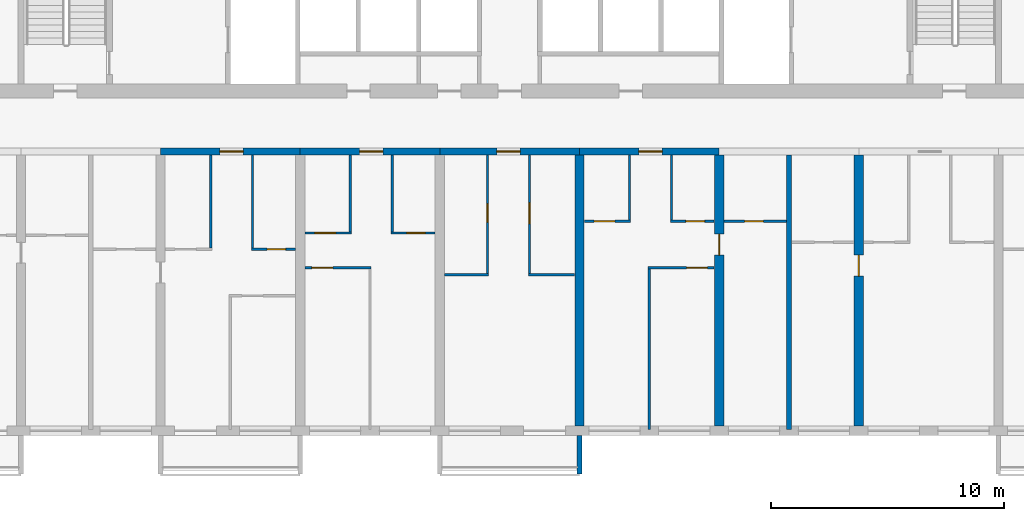
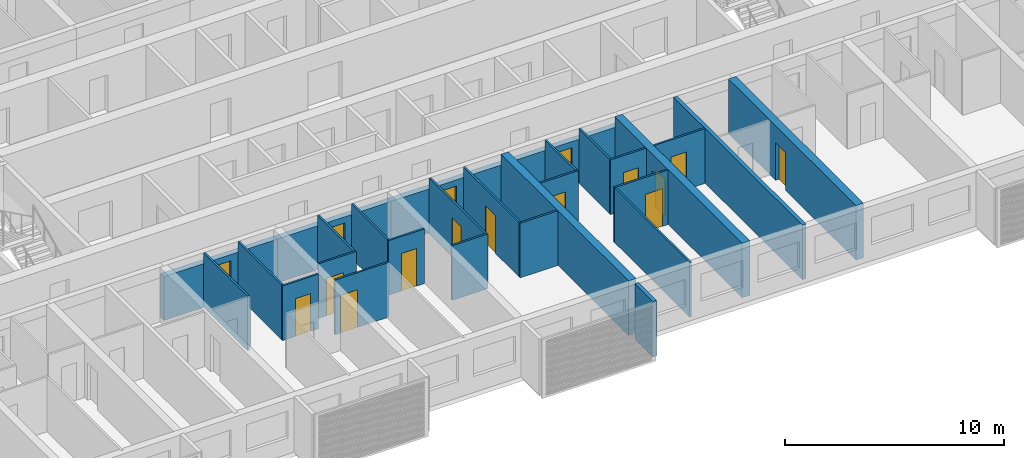
# One storey, part 5 of 39: 28 walls, 16 doors, 16 openings.
"""IFC4 building model written with IfcOpenShell, lengths in metres."""

from ifc_helpers import new_model, si_unit, direction, frame, frame_2d, origin, place, context, subcontext, project, spatial, polyline, rectangle, outline, extrude, source, transform, mapped, material, layer, layer_set, type_object, element, fill, save


model = new_model("IFC4")

# Units and contexts
model_context = context("Model", 3, precision=1e-05, world=origin(), true_north=direction((0.0, 1.0)))
body_context = subcontext(model_context, "Body", "Model", "MODEL_VIEW")
ifc_project = project(units=[si_unit("LENGTHUNIT", "METRE"), si_unit("AREAUNIT", "SQUARE_METRE"), si_unit("VOLUMEUNIT", "CUBIC_METRE"), si_unit("PLANEANGLEUNIT", "RADIAN"), si_unit("MASSUNIT", "GRAM", prefix="KILO")], contexts=[model_context])

# Site, building, storey
site_placement = place(None, origin())
site = spatial("IfcSite", under=ifc_project, at=site_placement, CompositionType="ELEMENT")
building_placement = place(site_placement, origin())
building = spatial("IfcBuilding", under=site, at=building_placement, Name="Poui Terraces", CompositionType="ELEMENT")
storey_placement = place(building_placement, frame((0.0, 0.0, 56.39990234375)))
storey = spatial("IfcBuildingStorey", under=building, at=storey_placement, Name="L15", CompositionType="ELEMENT", Elevation=56.39990234375)

# Wall, opening, door
ifc_material_1 = material(Name="Concrete 80 MPa", Category="concrete")
ifc_layer_1 = layer(ifc_material_1, 0.300048828125)
ifc_layer_set_1 = layer_set([ifc_layer_1], Name="Concrete 80 MPa")
wall_type_1 = type_object("IfcWallType", Name="CORRIDOR WALL 300 80MPa", PredefinedType="SHEAR", material=ifc_layer_set_1)
wall_1_placement = place(storey_placement, frame((36.0, 12.0, 0.0), z_axis=(0.0, 0.0, 1.0), x_axis=(1.0, 0.0, 0.0)))
wall_1 = element("IfcWall", 1, at=wall_1_placement, inside=storey, type_object=wall_type_1, Name="CORRIDOR WALL LINE B BAY 6", PredefinedType="SHEAR", context=body_context, shape_type="SweptSolid", body=[
    extrude(rectangle(XDim=6.0, YDim=0.300048828125, at=frame_2d((3.0, 0.0))), origin(), (0.0, 0.0, 1.0), 2.4501953125),
])
opening_1_placement = place(wall_1_placement, frame((2.550048828125, 0.0, 0.0)))
opening_1 = element("IfcOpeningElement", 2, at=opening_1_placement, cuts=wall_1, Name="Opening FD30S", PredefinedType="OPENING", context=body_context, shape_type="SweptSolid", body=[
    extrude(rectangle(XDim=1.0, YDim=2.10009765625, at=frame_2d((0.5, 1.050048828125))), frame((0.0, 0.16015625, 0.0), z_axis=(0.0, -1.0, 0.0), x_axis=(1.0, 0.0, 0.0)), (0.0, 0.0, 1.0), 0.320068359375),
])
ifc_material_2 = material(Name="Steel fire door", Category="steel")
door_type_1 = type_object("IfcDoorType", Name="FLAT ENTRANCE DOOR 1000 X 2100", OperationType="NOTDEFINED", PredefinedType="DOOR", material=ifc_material_2)
door_1_placement = place(opening_1_placement, frame((1.0, 0.0, 0.0), z_axis=(0.0, 0.0, 1.0), x_axis=(-1.0, 0.0, 0.0)))
door_1 = element("IfcDoor", 3, at=door_1_placement, inside=storey, type_object=door_type_1, Name="FLAT ENTRANCE DOOR 102", OperationType="SINGLE_SWING_LEFT", OverallHeight=2.10009765625, OverallWidth=1.0, PredefinedType="DOOR", context=body_context, shape_type="SweptSolid", body=[
    extrude(rectangle(XDim=1.0, YDim=2.10009765625, at=frame_2d((0.5, 1.050048828125))), frame((0.0, 0.02490234375, 0.0), z_axis=(0.0, -1.0, 0.0), x_axis=(1.0, 0.0, 0.0)), (0.0, 0.0, 1.0), 0.050048828125),
])
fill(opening_1, door_1)

wall_2_placement = place(storey_placement, frame((42.0, 12.0, 0.0), z_axis=(0.0, 0.0, 1.0), x_axis=(1.0, 0.0, 0.0)))
wall_2 = element("IfcWall", 4, at=wall_2_placement, inside=storey, type_object=wall_type_1, Name="CORRIDOR WALL LINE B BAY 7", PredefinedType="SHEAR", context=body_context, shape_type="SweptSolid", body=[
    extrude(rectangle(XDim=6.0, YDim=0.300048828125, at=frame_2d((3.0, 0.0))), origin(), (0.0, 0.0, 1.0), 2.4501953125),
])
opening_2_placement = place(wall_2_placement, frame((2.550048828125, 0.0, 0.0)))
opening_2 = element("IfcOpeningElement", 5, at=opening_2_placement, cuts=wall_2, Name="Opening FD30S", PredefinedType="OPENING", context=body_context, shape_type="SweptSolid", body=[
    extrude(rectangle(XDim=1.0, YDim=2.10009765625, at=frame_2d((0.5, 1.050048828125))), frame((0.0, 0.16015625, 0.0), z_axis=(0.0, -1.0, 0.0), x_axis=(1.0, 0.0, 0.0)), (0.0, 0.0, 1.0), 0.320068359375),
])
door_2_placement = place(opening_2_placement, frame((1.0, 0.0, 0.0), z_axis=(0.0, 0.0, 1.0), x_axis=(-1.0, 0.0, 0.0)))
door_2 = element("IfcDoor", 6, at=door_2_placement, inside=storey, type_object=door_type_1, Name="FLAT ENTRANCE DOOR 107", OperationType="SINGLE_SWING_LEFT", OverallHeight=2.10009765625, OverallWidth=1.0, PredefinedType="DOOR", context=body_context, shape_type="SweptSolid", body=[
    extrude(rectangle(XDim=1.0, YDim=2.10009765625, at=frame_2d((0.5, 1.050048828125))), frame((0.0, 0.02490234375, 0.0), z_axis=(0.0, -1.0, 0.0), x_axis=(1.0, 0.0, 0.0)), (0.0, 0.0, 1.0), 0.050048828125),
])
fill(opening_2, door_2)

wall_3_placement = place(storey_placement, frame((48.0, 12.0, 0.0), z_axis=(0.0, 0.0, 1.0), x_axis=(1.0, 0.0, 0.0)))
wall_3 = element("IfcWall", 7, at=wall_3_placement, inside=storey, type_object=wall_type_1, Name="CORRIDOR WALL LINE B BAY 8", PredefinedType="SHEAR", context=body_context, shape_type="SweptSolid", body=[
    extrude(rectangle(XDim=6.0, YDim=0.300048828125, at=frame_2d((3.0, 0.0))), origin(), (0.0, 0.0, 1.0), 2.4501953125),
])
opening_3_placement = place(wall_3_placement, frame((2.449951171875, 0.0, 0.0)))
opening_3 = element("IfcOpeningElement", 8, at=opening_3_placement, cuts=wall_3, Name="Opening FD30S", PredefinedType="OPENING", context=body_context, shape_type="SweptSolid", body=[
    extrude(rectangle(XDim=1.0, YDim=2.10009765625, at=frame_2d((0.5, 1.050048828125))), frame((0.0, 0.16015625, 0.0), z_axis=(0.0, -1.0, 0.0), x_axis=(1.0, 0.0, 0.0)), (0.0, 0.0, 1.0), 0.320068359375),
])
door_3_placement = place(opening_3_placement, frame((1.0, 0.0, 0.0), z_axis=(0.0, 0.0, 1.0), x_axis=(-1.0, 0.0, 0.0)))
door_3 = element("IfcDoor", 9, at=door_3_placement, inside=storey, type_object=door_type_1, Name="FLAT ENTRANCE DOOR 110", OperationType="SINGLE_SWING_RIGHT", OverallHeight=2.10009765625, OverallWidth=1.0, PredefinedType="DOOR", context=body_context, shape_type="SweptSolid", body=[
    extrude(rectangle(XDim=1.0, YDim=2.10009765625, at=frame_2d((0.5, 1.050048828125))), frame((0.0, 0.02490234375, 0.0), z_axis=(0.0, -1.0, 0.0), x_axis=(1.0, 0.0, 0.0)), (0.0, 0.0, 1.0), 0.050048828125),
])
fill(opening_3, door_3)

wall_4_placement = place(storey_placement, frame((54.0, 12.0, 0.0), z_axis=(0.0, 0.0, 1.0), x_axis=(1.0, 0.0, 0.0)))
wall_4 = element("IfcWall", 10, at=wall_4_placement, inside=storey, type_object=wall_type_1, Name="CORRIDOR WALL LINE B BAY 9", PredefinedType="SHEAR", context=body_context, shape_type="SweptSolid", body=[
    extrude(rectangle(XDim=6.0, YDim=0.300048828125, at=frame_2d((3.0, 0.0))), origin(), (0.0, 0.0, 1.0), 2.4501953125),
])
opening_4_placement = place(wall_4_placement, frame((2.550048828125, 0.0, 0.0)))
opening_4 = element("IfcOpeningElement", 11, at=opening_4_placement, cuts=wall_4, Name="Opening FD30S", PredefinedType="OPENING", context=body_context, shape_type="SweptSolid", body=[
    extrude(rectangle(XDim=1.0, YDim=2.10009765625, at=frame_2d((0.5, 1.050048828125))), frame((0.0, 0.16015625, 0.0), z_axis=(0.0, -1.0, 0.0), x_axis=(1.0, 0.0, 0.0)), (0.0, 0.0, 1.0), 0.320068359375),
])
door_4_placement = place(opening_4_placement, frame((1.0, 0.0, 0.0), z_axis=(0.0, 0.0, 1.0), x_axis=(-1.0, 0.0, 0.0)))
door_4 = element("IfcDoor", 12, at=door_4_placement, inside=storey, type_object=door_type_1, Name="FLAT ENTRANCE DOOR 114", OperationType="SINGLE_SWING_LEFT", OverallHeight=2.10009765625, OverallWidth=1.0, PredefinedType="DOOR", context=body_context, shape_type="SweptSolid", body=[
    extrude(rectangle(XDim=1.0, YDim=2.10009765625, at=frame_2d((0.5, 1.050048828125))), frame((0.0, 0.02490234375, 0.0), z_axis=(0.0, -1.0, 0.0), x_axis=(1.0, 0.0, 0.0)), (0.0, 0.0, 1.0), 0.050048828125),
])
fill(opening_4, door_4)

# Wall
ifc_layer_2 = layer(ifc_material_1, 0.39990234375)
ifc_layer_set_2 = layer_set([ifc_layer_2], Name="Concrete 80 MPa")
wall_type_2 = type_object("IfcWallType", Name="CROSS WALL 400 80MPa", PredefinedType="SHEAR", material=ifc_layer_set_2)
wall_5_placement = place(storey_placement, frame((54.0, 0.199951171875, 0.0), z_axis=(0.0, 0.0, 1.0), x_axis=(0.0, 1.0, 0.0)))
element("IfcWall", 13, at=wall_5_placement, inside=storey, type_object=wall_type_2, Name="CROSS WALL LINE 10 SOUTH", PredefinedType="SHEAR", context=body_context, shape_type="SweptSolid", body=[
    extrude(rectangle(XDim=11.650146484375, YDim=0.39990234375, at=frame_2d((5.8251953125, 0.0))), origin(), (0.0, 0.0, 1.0), 3.050048828125),
])

# Wall, opening, door
wall_6_placement = place(storey_placement, frame((60.0, 0.199951171875, 0.0), z_axis=(0.0, 0.0, 1.0), x_axis=(0.0, 1.0, 0.0)))
wall_6 = element("IfcWall", 14, at=wall_6_placement, inside=storey, type_object=wall_type_2, Name="CROSS WALL LINE 11 SOUTH", PredefinedType="SHEAR", context=body_context, shape_type="SweptSolid", body=[
    extrude(rectangle(XDim=11.650146484375, YDim=0.39990234375, at=frame_2d((5.8251953125, 0.0))), origin(), (0.0, 0.0, 1.0), 3.050048828125),
])
opening_5_placement = place(wall_6_placement, frame((7.35009765625, 0.0, 0.0)))
opening_5 = element("IfcOpeningElement", 15, at=opening_5_placement, cuts=wall_6, Name="Opening D90", PredefinedType="OPENING", context=body_context, shape_type="SweptSolid", body=[
    extrude(rectangle(XDim=0.89990234375, YDim=2.10009765625, at=frame_2d((0.449951171875, 1.050048828125))), frame((0.0, 0.2099609375, 0.0), z_axis=(0.0, -1.0, 0.0), x_axis=(1.0, 0.0, 0.0)), (0.0, 0.0, 1.0), 0.419921875),
])
ifc_material_3 = material(Name="Solid core timber door", Category="wood")
door_type_2 = type_object("IfcDoorType", Name="INTERNAL DOOR 900 X 2100", OperationType="NOTDEFINED", PredefinedType="DOOR", material=ifc_material_3)
door_5_placement = place(opening_5_placement, frame((0.89990234375, 0.0, 0.0), z_axis=(0.0, 0.0, 1.0), x_axis=(-1.0, 0.0, 0.0)))
door_5 = element("IfcDoor", 16, at=door_5_placement, inside=storey, type_object=door_type_2, Name="INTERNAL DOOR 117", OperationType="SINGLE_SWING_LEFT", OverallHeight=2.10009765625, OverallWidth=0.89990234375, PredefinedType="DOOR", context=body_context, shape_type="SweptSolid", body=[
    extrude(rectangle(XDim=0.89990234375, YDim=2.10009765625, at=frame_2d((0.449951171875, 1.050048828125))), frame((0.0, 0.02490234375, 0.0), z_axis=(0.0, -1.0, 0.0), x_axis=(1.0, 0.0, 0.0)), (0.0, 0.0, 1.0), 0.050048828125),
])
fill(opening_5, door_5)

wall_7_placement = place(storey_placement, frame((66.0, 0.199951171875, 0.0), z_axis=(0.0, 0.0, 1.0), x_axis=(0.0, 1.0, 0.0)))
wall_7 = element("IfcWall", 17, at=wall_7_placement, inside=storey, type_object=wall_type_2, Name="CROSS WALL LINE 12 SOUTH", PredefinedType="SHEAR", context=body_context, shape_type="SweptSolid", body=[
    extrude(rectangle(XDim=11.650146484375, YDim=0.39990234375, at=frame_2d((5.8251953125, 0.0))), origin(), (0.0, 0.0, 1.0), 3.050048828125),
])
opening_6_placement = place(wall_7_placement, frame((6.449951171875, 0.0, 0.0)))
opening_6 = element("IfcOpeningElement", 18, at=opening_6_placement, cuts=wall_7, Name="Opening D90", PredefinedType="OPENING", context=body_context, shape_type="SweptSolid", body=[
    extrude(rectangle(XDim=0.89990234375, YDim=2.10009765625, at=frame_2d((0.449951171875, 1.050048828125))), frame((0.0, 0.2099609375, 0.0), z_axis=(0.0, -1.0, 0.0), x_axis=(1.0, 0.0, 0.0)), (0.0, 0.0, 1.0), 0.419921875),
])
door_6_placement = place(opening_6_placement, origin())
door_6 = element("IfcDoor", 19, at=door_6_placement, inside=storey, type_object=door_type_2, Name="INTERNAL DOOR 119", OperationType="SINGLE_SWING_RIGHT", OverallHeight=2.10009765625, OverallWidth=0.89990234375, PredefinedType="DOOR", context=body_context, shape_type="SweptSolid", body=[
    extrude(rectangle(XDim=0.89990234375, YDim=2.10009765625, at=frame_2d((0.449951171875, 1.050048828125))), frame((0.0, 0.02490234375, 0.0), z_axis=(0.0, -1.0, 0.0), x_axis=(1.0, 0.0, 0.0)), (0.0, 0.0, 1.0), 0.050048828125),
])
fill(opening_6, door_6)

# Walls
ifc_material_4 = material(Name="Plasterboard partition")
ifc_layer_3 = layer(ifc_material_4, 0.10009765625)
ifc_layer_set_3 = layer_set([ifc_layer_3], Name="Plasterboard partition")
wall_type_3 = type_object("IfcWallType", Name="FLAT PARTITION 100", PredefinedType="PARTITIONING", material=ifc_layer_set_3)
wall_8_placement = place(storey_placement, frame((48.2099609375, 6.699951171875, 0.0), z_axis=(0.0, 0.0, 1.0), x_axis=(1.0, 0.0, 0.0)))
element("IfcWall", 20, at=wall_8_placement, inside=storey, type_object=wall_type_3, Name="FLAT PARTITION 100", PredefinedType="PARTITIONING", context=body_context, shape_type="SweptSolid", body=[
    extrude(rectangle(XDim=1.89013671875, YDim=0.10009765625, at=frame_2d((0.945068359375, 0.0))), origin(), (0.0, 0.0, 1.0), 3.050048828125),
])
wall_9_placement = place(storey_placement, frame((51.800048828125, 6.699951171875, 0.0), z_axis=(0.0, 0.0, 1.0), x_axis=(1.0, 0.0, 0.0)))
element("IfcWall", 21, at=wall_9_placement, inside=storey, type_object=wall_type_3, Name="FLAT PARTITION 100", PredefinedType="PARTITIONING", context=body_context, shape_type="SweptSolid", body=[
    extrude(rectangle(XDim=1.989990234375, YDim=0.10009765625, at=frame_2d((0.9951171875, 0.0))), origin(), (0.0, 0.0, 1.0), 3.050048828125),
])

# Wall, opening, door
wall_10_placement = place(storey_placement, frame((42.2099609375, 7.0, 0.0), z_axis=(0.0, 0.0, 1.0), x_axis=(1.0, 0.0, 0.0)))
wall_10 = element("IfcWall", 22, at=wall_10_placement, inside=storey, type_object=wall_type_3, Name="FLAT PARTITION 100", PredefinedType="PARTITIONING", context=body_context, shape_type="SweptSolid", body=[
    extrude(rectangle(XDim=2.840087890625, YDim=0.10009765625, at=frame_2d((1.419921875, 0.0))), origin(), (0.0, 0.0, 1.0), 3.050048828125),
])
opening_7_placement = place(wall_10_placement, frame((0.2900390625, 0.0, 0.0)))
opening_7 = element("IfcOpeningElement", 23, at=opening_7_placement, cuts=wall_10, Name="Opening D90", PredefinedType="OPENING", context=body_context, shape_type="SweptSolid", body=[
    extrude(rectangle(XDim=0.89990234375, YDim=2.10009765625, at=frame_2d((0.449951171875, 1.050048828125))), frame((0.0, 0.06005859375, 0.0), z_axis=(0.0, -1.0, 0.0), x_axis=(1.0, 0.0, 0.0)), (0.0, 0.0, 1.0), 0.1201171875),
])
door_7_placement = place(opening_7_placement, origin())
door_7 = element("IfcDoor", 24, at=door_7_placement, inside=storey, type_object=door_type_2, Name="INTERNAL DOOR 105", OperationType="SINGLE_SWING_RIGHT", OverallHeight=2.10009765625, OverallWidth=0.89990234375, PredefinedType="DOOR", context=body_context, shape_type="SweptSolid", body=[
    extrude(rectangle(XDim=0.89990234375, YDim=2.10009765625, at=frame_2d((0.449951171875, 1.050048828125))), frame((0.0, 0.02490234375, 0.0), z_axis=(0.0, -1.0, 0.0), x_axis=(1.0, 0.0, 0.0)), (0.0, 0.0, 1.0), 0.050048828125),
])
fill(opening_7, door_7)

wall_11_placement = place(storey_placement, frame((56.949951171875, 7.0, 0.0), z_axis=(0.0, 0.0, 1.0), x_axis=(1.0, 0.0, 0.0)))
wall_11 = element("IfcWall", 25, at=wall_11_placement, inside=storey, type_object=wall_type_3, Name="FLAT PARTITION 100", PredefinedType="PARTITIONING", context=body_context, shape_type="SweptSolid", body=[
    extrude(rectangle(XDim=2.840087890625, YDim=0.10009765625, at=frame_2d((1.419921875, 0.0))), origin(), (0.0, 0.0, 1.0), 3.050048828125),
])
opening_8_placement = place(wall_11_placement, frame((1.64990234375, 0.0, 0.0)))
opening_8 = element("IfcOpeningElement", 26, at=opening_8_placement, cuts=wall_11, Name="Opening D90", PredefinedType="OPENING", context=body_context, shape_type="SweptSolid", body=[
    extrude(rectangle(XDim=0.89990234375, YDim=2.10009765625, at=frame_2d((0.449951171875, 1.050048828125))), frame((0.0, 0.06005859375, 0.0), z_axis=(0.0, -1.0, 0.0), x_axis=(1.0, 0.0, 0.0)), (0.0, 0.0, 1.0), 0.1201171875),
])
door_8_placement = place(opening_8_placement, origin())
door_8 = element("IfcDoor", 27, at=door_8_placement, inside=storey, type_object=door_type_2, Name="INTERNAL DOOR 116", OperationType="SINGLE_SWING_LEFT", OverallHeight=2.10009765625, OverallWidth=0.89990234375, PredefinedType="DOOR", context=body_context, shape_type="SweptSolid", body=[
    extrude(rectangle(XDim=0.89990234375, YDim=2.10009765625, at=frame_2d((0.449951171875, 1.050048828125))), frame((0.0, 0.02490234375, 0.0), z_axis=(0.0, -1.0, 0.0), x_axis=(1.0, 0.0, 0.0)), (0.0, 0.0, 1.0), 0.050048828125),
])
fill(opening_8, door_8)

wall_12_placement = place(storey_placement, frame((39.89990234375, 7.800048828125, 0.0), z_axis=(0.0, 0.0, 1.0), x_axis=(1.0, 0.0, 0.0)))
wall_12 = element("IfcWall", 28, at=wall_12_placement, inside=storey, type_object=wall_type_3, Name="FLAT PARTITION 100", PredefinedType="PARTITIONING", context=body_context, shape_type="SweptSolid", body=[
    extrude(rectangle(XDim=1.89013671875, YDim=0.10009765625, at=frame_2d((0.945068359375, 0.0))), origin(), (0.0, 0.0, 1.0), 3.050048828125),
])
opening_9_placement = place(wall_12_placement, frame((0.675048828125, 0.0, 0.0)))
opening_9 = element("IfcOpeningElement", 29, at=opening_9_placement, cuts=wall_12, Name="Opening D80", PredefinedType="OPENING", context=body_context, shape_type="SweptSolid", body=[
    extrude(rectangle(XDim=0.800048828125, YDim=2.10009765625, at=frame_2d((0.39990234375, 1.050048828125))), frame((0.0, 0.06005859375, 0.0), z_axis=(0.0, -1.0, 0.0), x_axis=(1.0, 0.0, 0.0)), (0.0, 0.0, 1.0), 0.1201171875),
])
door_type_3 = type_object("IfcDoorType", Name="BATHROOM, LAUNDRY AND STORE DOOR 800 X 2100", OperationType="NOTDEFINED", PredefinedType="DOOR", material=ifc_material_3)
door_9_placement = place(opening_9_placement, origin())
door_9 = element("IfcDoor", 30, at=door_9_placement, inside=storey, type_object=door_type_3, Name="BATHROOM, LAUNDRY AND STORE DOOR 104", OperationType="SINGLE_SWING_LEFT", OverallHeight=2.10009765625, OverallWidth=0.800048828125, PredefinedType="DOOR", context=body_context, shape_type="SweptSolid", body=[
    extrude(rectangle(XDim=0.800048828125, YDim=2.10009765625, at=frame_2d((0.39990234375, 1.050048828125))), frame((0.0, 0.02490234375, 0.0), z_axis=(0.0, -1.0, 0.0), x_axis=(1.0, 0.0, 0.0)), (0.0, 0.0, 1.0), 0.050048828125),
])
fill(opening_9, door_9)

wall_13_placement = place(storey_placement, frame((42.2099609375, 8.5, 0.0), z_axis=(0.0, 0.0, 1.0), x_axis=(1.0, 0.0, 0.0)))
wall_13 = element("IfcWall", 31, at=wall_13_placement, inside=storey, type_object=wall_type_3, Name="FLAT PARTITION 100", PredefinedType="PARTITIONING", context=body_context, shape_type="SweptSolid", body=[
    extrude(rectangle(XDim=1.989990234375, YDim=0.10009765625, at=frame_2d((0.9951171875, 0.0))), origin(), (0.0, 0.0, 1.0), 3.050048828125),
])
opening_10_placement = place(wall_13_placement, frame((0.4150390625, 0.0, 0.0)))
opening_10 = element("IfcOpeningElement", 32, at=opening_10_placement, cuts=wall_13, Name="Opening D90", PredefinedType="OPENING", context=body_context, shape_type="SweptSolid", body=[
    extrude(rectangle(XDim=0.89990234375, YDim=2.10009765625, at=frame_2d((0.449951171875, 1.050048828125))), frame((0.0, 0.06005859375, 0.0), z_axis=(0.0, -1.0, 0.0), x_axis=(1.0, 0.0, 0.0)), (0.0, 0.0, 1.0), 0.1201171875),
])
door_10_placement = place(opening_10_placement, origin())
door_10 = element("IfcDoor", 33, at=door_10_placement, inside=storey, type_object=door_type_2, Name="INTERNAL DOOR 106", OperationType="SINGLE_SWING_LEFT", OverallHeight=2.10009765625, OverallWidth=0.89990234375, PredefinedType="DOOR", context=body_context, shape_type="SweptSolid", body=[
    extrude(rectangle(XDim=0.89990234375, YDim=2.10009765625, at=frame_2d((0.449951171875, 1.050048828125))), frame((0.0, 0.02490234375, 0.0), z_axis=(0.0, -1.0, 0.0), x_axis=(1.0, 0.0, 0.0)), (0.0, 0.0, 1.0), 0.050048828125),
])
fill(opening_10, door_10)

wall_14_placement = place(storey_placement, frame((45.89990234375, 8.5, 0.0), z_axis=(0.0, 0.0, 1.0), x_axis=(1.0, 0.0, 0.0)))
wall_14 = element("IfcWall", 34, at=wall_14_placement, inside=storey, type_object=wall_type_3, Name="FLAT PARTITION 100", PredefinedType="PARTITIONING", context=body_context, shape_type="SweptSolid", body=[
    extrude(rectangle(XDim=1.89013671875, YDim=0.10009765625, at=frame_2d((0.945068359375, 0.0))), origin(), (0.0, 0.0, 1.0), 3.050048828125),
])
opening_11_placement = place(wall_14_placement, frame((0.675048828125, 0.0, 0.0)))
opening_11 = element("IfcOpeningElement", 35, at=opening_11_placement, cuts=wall_14, Name="Opening D80", PredefinedType="OPENING", context=body_context, shape_type="SweptSolid", body=[
    extrude(rectangle(XDim=0.800048828125, YDim=2.10009765625, at=frame_2d((0.39990234375, 1.050048828125))), frame((0.0, 0.06005859375, 0.0), z_axis=(0.0, -1.0, 0.0), x_axis=(1.0, 0.0, 0.0)), (0.0, 0.0, 1.0), 0.1201171875),
])
door_11_placement = place(opening_11_placement, origin())
door_11 = element("IfcDoor", 36, at=door_11_placement, inside=storey, type_object=door_type_3, Name="BATHROOM, LAUNDRY AND STORE DOOR 108", OperationType="SINGLE_SWING_RIGHT", OverallHeight=2.10009765625, OverallWidth=0.800048828125, PredefinedType="DOOR", context=body_context, shape_type="SweptSolid", body=[
    extrude(rectangle(XDim=0.800048828125, YDim=2.10009765625, at=frame_2d((0.39990234375, 1.050048828125))), frame((0.0, 0.02490234375, 0.0), z_axis=(0.0, -1.0, 0.0), x_axis=(1.0, 0.0, 0.0)), (0.0, 0.0, 1.0), 0.050048828125),
])
fill(opening_11, door_11)

wall_15_placement = place(storey_placement, frame((54.2099609375, 9.0, 0.0), z_axis=(0.0, 0.0, 1.0), x_axis=(1.0, 0.0, 0.0)))
wall_15 = element("IfcWall", 37, at=wall_15_placement, inside=storey, type_object=wall_type_3, Name="FLAT PARTITION 100", PredefinedType="PARTITIONING", context=body_context, shape_type="SweptSolid", body=[
    extrude(rectangle(XDim=1.989990234375, YDim=0.10009765625, at=frame_2d((0.9951171875, 0.0))), origin(), (0.0, 0.0, 1.0), 3.050048828125),
])
opening_12_placement = place(wall_15_placement, frame((0.4150390625, 0.0, 0.0)))
opening_12 = element("IfcOpeningElement", 38, at=opening_12_placement, cuts=wall_15, Name="Opening D90", PredefinedType="OPENING", context=body_context, shape_type="SweptSolid", body=[
    extrude(rectangle(XDim=0.89990234375, YDim=2.10009765625, at=frame_2d((0.449951171875, 1.050048828125))), frame((0.0, 0.06005859375, 0.0), z_axis=(0.0, -1.0, 0.0), x_axis=(1.0, 0.0, 0.0)), (0.0, 0.0, 1.0), 0.1201171875),
])
door_12_placement = place(opening_12_placement, origin())
door_12 = element("IfcDoor", 39, at=door_12_placement, inside=storey, type_object=door_type_2, Name="INTERNAL DOOR 113", OperationType="SINGLE_SWING_LEFT", OverallHeight=2.10009765625, OverallWidth=0.89990234375, PredefinedType="DOOR", context=body_context, shape_type="SweptSolid", body=[
    extrude(rectangle(XDim=0.89990234375, YDim=2.10009765625, at=frame_2d((0.449951171875, 1.050048828125))), frame((0.0, 0.02490234375, 0.0), z_axis=(0.0, -1.0, 0.0), x_axis=(1.0, 0.0, 0.0)), (0.0, 0.0, 1.0), 0.050048828125),
])
fill(opening_12, door_12)

wall_16_placement = place(storey_placement, frame((57.89990234375, 9.0, 0.0), z_axis=(0.0, 0.0, 1.0), x_axis=(1.0, 0.0, 0.0)))
wall_16 = element("IfcWall", 40, at=wall_16_placement, inside=storey, type_object=wall_type_3, Name="FLAT PARTITION 100", PredefinedType="PARTITIONING", context=body_context, shape_type="SweptSolid", body=[
    extrude(rectangle(XDim=1.89013671875, YDim=0.10009765625, at=frame_2d((0.945068359375, 0.0))), origin(), (0.0, 0.0, 1.0), 3.050048828125),
])
opening_13_placement = place(wall_16_placement, frame((0.675048828125, 0.0, 0.0)))
opening_13 = element("IfcOpeningElement", 41, at=opening_13_placement, cuts=wall_16, Name="Opening D80", PredefinedType="OPENING", context=body_context, shape_type="SweptSolid", body=[
    extrude(rectangle(XDim=0.800048828125, YDim=2.10009765625, at=frame_2d((0.39990234375, 1.050048828125))), frame((0.0, 0.06005859375, 0.0), z_axis=(0.0, -1.0, 0.0), x_axis=(1.0, 0.0, 0.0)), (0.0, 0.0, 1.0), 0.1201171875),
])
door_13_placement = place(opening_13_placement, origin())
door_13 = element("IfcDoor", 42, at=door_13_placement, inside=storey, type_object=door_type_3, Name="BATHROOM, LAUNDRY AND STORE DOOR 115", OperationType="SINGLE_SWING_RIGHT", OverallHeight=2.10009765625, OverallWidth=0.800048828125, PredefinedType="DOOR", context=body_context, shape_type="SweptSolid", body=[
    extrude(rectangle(XDim=0.800048828125, YDim=2.10009765625, at=frame_2d((0.39990234375, 1.050048828125))), frame((0.0, 0.02490234375, 0.0), z_axis=(0.0, -1.0, 0.0), x_axis=(1.0, 0.0, 0.0)), (0.0, 0.0, 1.0), 0.050048828125),
])
fill(opening_13, door_13)

wall_17_placement = place(storey_placement, frame((60.2099609375, 9.0, 0.0), z_axis=(0.0, 0.0, 1.0), x_axis=(1.0, 0.0, 0.0)))
wall_17 = element("IfcWall", 43, at=wall_17_placement, inside=storey, type_object=wall_type_3, Name="FLAT PARTITION 100", PredefinedType="PARTITIONING", context=body_context, shape_type="SweptSolid", body=[
    extrude(rectangle(XDim=2.68994140625, YDim=0.10009765625, at=frame_2d((1.344970703125, 0.0))), origin(), (0.0, 0.0, 1.0), 3.050048828125),
])
opening_14_placement = place(wall_17_placement, frame((0.889892578125, 0.0, 0.0)))
opening_14 = element("IfcOpeningElement", 44, at=opening_14_placement, cuts=wall_17, Name="Opening D80", PredefinedType="OPENING", context=body_context, shape_type="SweptSolid", body=[
    extrude(rectangle(XDim=0.800048828125, YDim=2.10009765625, at=frame_2d((0.39990234375, 1.050048828125))), frame((0.0, 0.06005859375, 0.0), z_axis=(0.0, -1.0, 0.0), x_axis=(1.0, 0.0, 0.0)), (0.0, 0.0, 1.0), 0.1201171875),
])
door_14_placement = place(opening_14_placement, origin())
door_14 = element("IfcDoor", 45, at=door_14_placement, inside=storey, type_object=door_type_3, Name="BATHROOM, LAUNDRY AND STORE DOOR 112", OperationType="SINGLE_SWING_LEFT", OverallHeight=2.10009765625, OverallWidth=0.800048828125, PredefinedType="DOOR", context=body_context, shape_type="SweptSolid", body=[
    extrude(rectangle(XDim=0.800048828125, YDim=2.10009765625, at=frame_2d((0.39990234375, 1.050048828125))), frame((0.0, 0.02490234375, 0.0), z_axis=(0.0, -1.0, 0.0), x_axis=(1.0, 0.0, 0.0)), (0.0, 0.0, 1.0), 0.050048828125),
])
fill(opening_14, door_14)

# Walls
for number, where, z_axis, x_axis, name in (
    (46, (38.14990234375, 7.85009765625, 0.0), (0.0, 0.0, 1.0), (0.0, 1.0, 0.0), "FLAT PARTITION 100"),
    (47, (39.949951171875, 7.85009765625, 0.0), (0.0, 0.0, 1.0), (0.0, 1.0, 0.0), "FLAT PARTITION 100"),
):
    element("IfcWall", number, at=place(storey_placement, frame(where, z_axis=z_axis, x_axis=x_axis)), inside=storey, type_object=wall_type_3, Name=name, PredefinedType="PARTITIONING", context=body_context, shape_type="SweptSolid", body=[
        extrude(rectangle(XDim=3.989990234375, YDim=0.10009765625, at=frame_2d((1.9951171875, 0.0))), origin(), (0.0, 0.0, 1.0), 3.050048828125),
    ])
for number, where, z_axis, x_axis, name in (
    (48, (44.14990234375, 8.550048828125, 0.0), (0.0, 0.0, 1.0), (0.0, 1.0, 0.0), "FLAT PARTITION 100"),
    (49, (45.949951171875, 8.550048828125, 0.0), (0.0, 0.0, 1.0), (0.0, 1.0, 0.0), "FLAT PARTITION 100"),
):
    element("IfcWall", number, at=place(storey_placement, frame(where, z_axis=z_axis, x_axis=x_axis)), inside=storey, type_object=wall_type_3, Name=name, PredefinedType="PARTITIONING", context=body_context, shape_type="SweptSolid", body=[
        extrude(rectangle(XDim=3.2900390625, YDim=0.10009765625, at=frame_2d((1.64501953125, 0.0))), origin(), (0.0, 0.0, 1.0), 3.050048828125),
    ])

# Wall, opening, door
wall_18_placement = place(storey_placement, frame((50.050048828125, 6.75, 0.0), z_axis=(0.0, 0.0, 1.0), x_axis=(0.0, 1.0, 0.0)))
wall_18 = element("IfcWall", 50, at=wall_18_placement, inside=storey, type_object=wall_type_3, Name="FLAT PARTITION 100", PredefinedType="PARTITIONING", context=body_context, shape_type="SweptSolid", body=[
    extrude(rectangle(XDim=5.090087890625, YDim=0.10009765625, at=frame_2d((2.544921875, 0.0))), origin(), (0.0, 0.0, 1.0), 3.050048828125),
])
opening_15_placement = place(wall_18_placement, frame((2.199951171875, 0.0, 0.0)))
opening_15 = element("IfcOpeningElement", 51, at=opening_15_placement, cuts=wall_18, Name="Opening D80", PredefinedType="OPENING", context=body_context, shape_type="SweptSolid", body=[
    extrude(rectangle(XDim=0.800048828125, YDim=2.10009765625, at=frame_2d((0.39990234375, 1.050048828125))), frame((0.0, 0.06005859375, 0.0), z_axis=(0.0, -1.0, 0.0), x_axis=(1.0, 0.0, 0.0)), (0.0, 0.0, 1.0), 0.1201171875),
])
door_15_placement = place(opening_15_placement, origin())
door_15 = element("IfcDoor", 52, at=door_15_placement, inside=storey, type_object=door_type_3, Name="BATHROOM, LAUNDRY AND STORE DOOR 109", OperationType="SINGLE_SWING_LEFT", OverallHeight=2.10009765625, OverallWidth=0.800048828125, PredefinedType="DOOR", context=body_context, shape_type="SweptSolid", body=[
    extrude(rectangle(XDim=0.800048828125, YDim=2.10009765625, at=frame_2d((0.39990234375, 1.050048828125))), frame((0.0, 0.02490234375, 0.0), z_axis=(0.0, -1.0, 0.0), x_axis=(1.0, 0.0, 0.0)), (0.0, 0.0, 1.0), 0.050048828125),
])
fill(opening_15, door_15)

wall_19_placement = place(storey_placement, frame((51.85009765625, 6.75, 0.0), z_axis=(0.0, 0.0, 1.0), x_axis=(0.0, 1.0, 0.0)))
wall_19 = element("IfcWall", 53, at=wall_19_placement, inside=storey, type_object=wall_type_3, Name="FLAT PARTITION 100", PredefinedType="PARTITIONING", context=body_context, shape_type="SweptSolid", body=[
    extrude(rectangle(XDim=5.090087890625, YDim=0.10009765625, at=frame_2d((2.544921875, 0.0))), origin(), (0.0, 0.0, 1.0), 3.050048828125),
])
opening_16_placement = place(wall_19_placement, frame((2.14990234375, 0.0, 0.0)))
opening_16 = element("IfcOpeningElement", 54, at=opening_16_placement, cuts=wall_19, Name="Opening D90", PredefinedType="OPENING", context=body_context, shape_type="SweptSolid", body=[
    extrude(rectangle(XDim=0.89990234375, YDim=2.10009765625, at=frame_2d((0.449951171875, 1.050048828125))), frame((0.0, 0.06005859375, 0.0), z_axis=(0.0, -1.0, 0.0), x_axis=(1.0, 0.0, 0.0)), (0.0, 0.0, 1.0), 0.1201171875),
])
door_16_placement = place(opening_16_placement, frame((0.89990234375, 0.0, 0.0), z_axis=(0.0, 0.0, 1.0), x_axis=(-1.0, 0.0, 0.0)))
door_16 = element("IfcDoor", 55, at=door_16_placement, inside=storey, type_object=door_type_2, Name="INTERNAL DOOR 111", OperationType="SINGLE_SWING_LEFT", OverallHeight=2.10009765625, OverallWidth=0.89990234375, PredefinedType="DOOR", context=body_context, shape_type="SweptSolid", body=[
    extrude(rectangle(XDim=0.89990234375, YDim=2.10009765625, at=frame_2d((0.449951171875, 1.050048828125))), frame((0.0, 0.02490234375, 0.0), z_axis=(0.0, -1.0, 0.0), x_axis=(1.0, 0.0, 0.0)), (0.0, 0.0, 1.0), 0.050048828125),
])
fill(opening_16, door_16)

# Walls
wall_20_placement = place(storey_placement, frame((56.14990234375, 9.050048828125, 0.0), z_axis=(0.0, 0.0, 1.0), x_axis=(0.0, 1.0, 0.0)))
element("IfcWall", 56, at=wall_20_placement, inside=storey, type_object=wall_type_3, Name="FLAT PARTITION 100", PredefinedType="PARTITIONING", context=body_context, shape_type="SweptSolid", body=[
    extrude(rectangle(XDim=2.7900390625, YDim=0.10009765625, at=frame_2d((1.39501953125, 0.0))), origin(), (0.0, 0.0, 1.0), 3.050048828125),
])
wall_21_placement = place(storey_placement, frame((57.0, 0.06005859375, 0.0), z_axis=(0.0, 0.0, 1.0), x_axis=(0.0, 1.0, 0.0)))
element("IfcWall", 57, at=wall_21_placement, inside=storey, type_object=wall_type_3, Name="FLAT PARTITION 100", PredefinedType="PARTITIONING", context=body_context, shape_type="SweptSolid", body=[
    extrude(rectangle(XDim=6.889892578125, YDim=0.10009765625, at=frame_2d((3.44482421875, 0.0))), origin(), (0.0, 0.0, 1.0), 3.050048828125),
])
wall_22_placement = place(storey_placement, frame((57.949951171875, 9.050048828125, 0.0), z_axis=(0.0, 0.0, 1.0), x_axis=(0.0, 1.0, 0.0)))
element("IfcWall", 58, at=wall_22_placement, inside=storey, type_object=wall_type_3, Name="FLAT PARTITION 100", PredefinedType="PARTITIONING", context=body_context, shape_type="SweptSolid", body=[
    extrude(rectangle(XDim=2.7900390625, YDim=0.10009765625, at=frame_2d((1.39501953125, 0.0))), origin(), (0.0, 0.0, 1.0), 3.050048828125),
])
ifc_material_5 = material(Name="Fire-rated masonry wall", Category="masonry")
ifc_layer_4 = layer(ifc_material_5, 0.199951171875)
ifc_layer_set_4 = layer_set([ifc_layer_4], Name="Fire-rated masonry wall")
wall_type_4 = type_object("IfcWallType", Name="FLAT PARTY WALL 200", PredefinedType="PARTITIONING", material=ifc_layer_set_4)
wall_23_placement = place(storey_placement, frame((63.0, 0.06005859375, 0.0), z_axis=(0.0, 0.0, 1.0), x_axis=(0.0, 1.0, 0.0)))
element("IfcWall", 59, at=wall_23_placement, inside=storey, type_object=wall_type_4, Name="FLAT PARTY WALL 200", PredefinedType="PARTITIONING", context=body_context, shape_type="SweptSolid", body=[
    extrude(rectangle(XDim=11.780029296875, YDim=0.199951171875, at=frame_2d((5.89013671875, 0.0))), origin(), (0.0, 0.0, 1.0), 3.050048828125),
])
ifc_material_6 = material(Name="Precast concrete 40 MPa", Category="concrete")
ifc_layer_5 = layer(ifc_material_6, 0.199951171875)
ifc_layer_set_5 = layer_set([ifc_layer_5], Name="Precast concrete 40 MPa")
wall_type_5 = type_object("IfcWallType", Name="REAR FIN 200", PredefinedType="STANDARD", material=ifc_layer_set_5)
shared_shape = source(origin(), body_context, "Body", "SweptSolid", [
    extrude(outline(polyline([(0.0, 0.0), (0.2001953125, 0.0), (0.2001953125, 1.650146484375), (0.0, 1.650146484375), (0.0, 0.0)])), origin(), (0.0, 0.0, 1.0), 3.10009765625),
])
wall_24_placement = place(storey_placement, frame((53.89990234375, -1.85009765625, 0.0)))
element("IfcWall", 60, at=wall_24_placement, inside=storey, type_object=wall_type_5, Name="REAR FIN", PredefinedType="STANDARD", context=body_context, shape_type="MappedRepresentation", body=[
    mapped(shared_shape, transform((0.0, 0.0, 0.0))),
])

save(model, "model.ifc")
